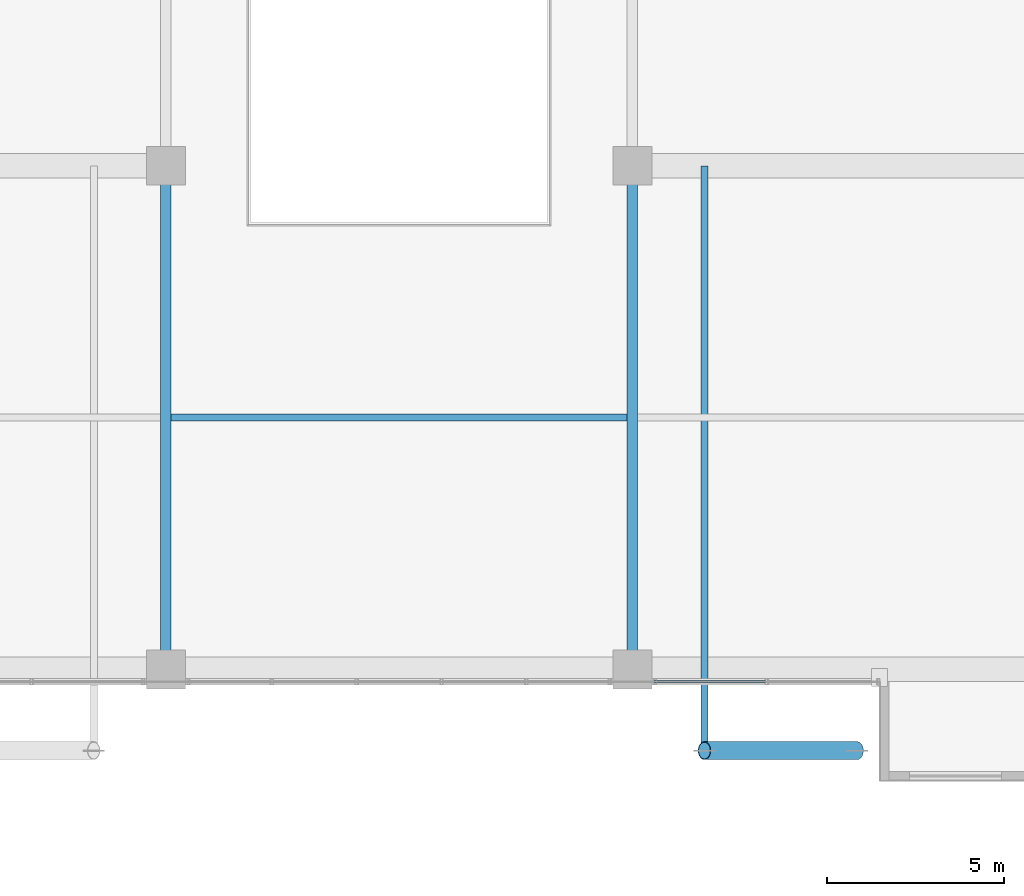
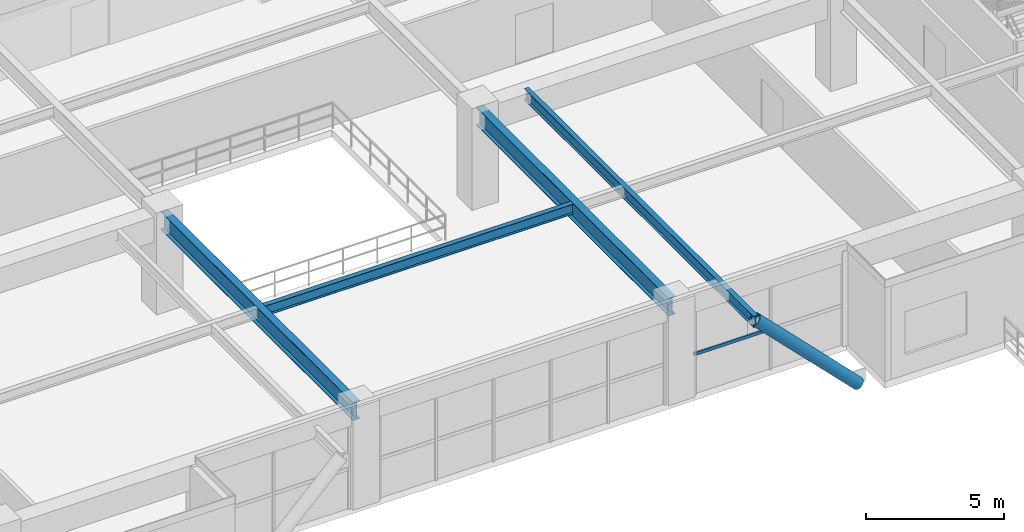
# One storey, part 5 of 24: 4 beams, 2 members, 1 element without a shape of its own.
"""IFC4 building model written with IfcOpenShell, lengths in metres."""

from ifc_helpers import new_model, si_unit, direction, frame, origin, origin_2d, place, context, subcontext, project, spatial, hollow_rectangle, hollow_circle, i_section, extrude, source, transform, mapped, material, material_profile, profile_set, type_object, element, aggregate, save


model = new_model("IFC4")

# Units and contexts
model_context = context("Model", 3, precision=1e-05, world=origin(), true_north=direction((0.0, 1.0)))
body_context = subcontext(model_context, "Body", "Model", "MODEL_VIEW")
ifc_project = project(units=[si_unit("LENGTHUNIT", "METRE"), si_unit("AREAUNIT", "SQUARE_METRE"), si_unit("VOLUMEUNIT", "CUBIC_METRE"), si_unit("PLANEANGLEUNIT", "RADIAN"), si_unit("MASSUNIT", "GRAM", prefix="KILO")], contexts=[model_context])

# Site, building, storey
site_placement = place(None, origin())
site = spatial("IfcSite", under=ifc_project, at=site_placement, CompositionType="ELEMENT")
building_placement = place(site_placement, origin())
building = spatial("IfcBuilding", under=site, at=building_placement, Name="Trelvane Seafront Commons", CompositionType="ELEMENT")
storey_placement = place(building_placement, frame((0.0, 0.0, 9.699951171875)))
storey = spatial("IfcBuildingStorey", under=building, at=storey_placement, Name="L02", CompositionType="ELEMENT", Elevation=9.699951171875)

# Beams
ifc_material_1 = material(Name="Steel SM355 (S355)", Category="steel")
ifc_material_profile_1 = material_profile(ifc_material_1, i_section(OverallWidth=0.300048828125, OverallDepth=0.800048828125, WebThickness=0.013916015625, FlangeThickness=0.02587890625, at=origin_2d()), Name="H-800x300x14x26")
ifc_profile_set_1 = profile_set([ifc_material_profile_1], Name="Steel SM355 (S355)")
beam_type_1 = type_object("IfcBeamType", Name="STR-BM-H800", PredefinedType="BEAM", material=ifc_profile_set_1)
shared_shape_1 = source(origin(), body_context, "Body", "SweptSolid", [
    extrude(i_section(OverallWidth=0.300048828125, OverallDepth=0.800048828125, WebThickness=0.013916015625, FlangeThickness=0.02587890625, at=origin_2d()), origin(), (0.0, 0.0, 1.0), 13.949951171875),
])
for number, where, z_axis, x_axis, name in (
    (1, (30.60009765625, 4.10009765625, 3.800048828125), (0.0, 1.0, 0.0), (-1.0, 0.0, 0.0), "L02 Primary Girder G-43"),
    (2, (43.800048828125, 4.10009765625, 3.800048828125), (0.0, 1.0, 0.0), (-1.0, 0.0, 0.0), "L02 Primary Girder G-47"),
):
    element("IfcBeam", number, at=place(storey_placement, frame(where, z_axis=z_axis, x_axis=x_axis)), inside=storey, type_object=beam_type_1, Name=name, PredefinedType="BEAM", context=body_context, shape_type="MappedRepresentation", body=[
        mapped(shared_shape_1, transform((0.0, 0.0, 0.0), x_axis=(1.0, 0.0, 0.0), y_axis=(0.0, 1.0, 0.0), z_axis=(0.0, 0.0, 1.0), scale=1.0)),
    ])
ifc_material_profile_2 = material_profile(ifc_material_1, i_section(OverallWidth=0.199951171875, OverallDepth=0.449951171875, WebThickness=0.009033203125, FlangeThickness=0.013916015625, at=origin_2d()), Name="H-450x200x9x14")
ifc_profile_set_2 = profile_set([ifc_material_profile_2], Name="Steel SM355 (S355)")
beam_type_2 = type_object("IfcBeamType", Name="STR-JST-H450", PredefinedType="JOIST", material=ifc_profile_set_2)
shared_shape_2 = source(origin(), body_context, "Body", "SweptSolid", [
    extrude(i_section(OverallWidth=0.199951171875, OverallDepth=0.449951171875, WebThickness=0.009033203125, FlangeThickness=0.013916015625, at=origin_2d()), origin(), (0.0, 0.0, 1.0), 12.89990234375),
])
beam_1_placement = place(storey_placement, frame((30.75, 11.074951171875, 3.97509765625), z_axis=(1.0, 0.0, 0.0), x_axis=(0.0, 1.0, 0.0)))
element("IfcBeam", 3, at=beam_1_placement, inside=storey, type_object=beam_type_2, Name="L02 Secondary Floor Joist B-62", PredefinedType="JOIST", context=body_context, shape_type="MappedRepresentation", body=[
    mapped(shared_shape_2, transform((0.0, 0.0, 0.0), x_axis=(1.0, 0.0, 0.0), y_axis=(0.0, 1.0, 0.0), z_axis=(0.0, 0.0, 1.0), scale=1.0)),
])
ifc_material_profile_3 = material_profile(ifc_material_1, i_section(OverallWidth=0.199951171875, OverallDepth=0.5, WebThickness=0.010009765625, FlangeThickness=0.01611328125, at=origin_2d()), Name="H-500x200x10x16")
ifc_profile_set_3 = profile_set([ifc_material_profile_3], Name="Steel SM355 (S355)")
beam_type_3 = type_object("IfcBeamType", Name="STR-BM-H500", PredefinedType="BEAM", material=ifc_profile_set_3)
shared_shape_3 = source(origin(), body_context, "Body", "SweptSolid", [
    extrude(i_section(OverallWidth=0.199951171875, OverallDepth=0.5, WebThickness=0.010009765625, FlangeThickness=0.01611328125, at=origin_2d()), origin(), (0.0, 0.0, 1.0), 16.64990234375),
])
beam_2_placement = place(storey_placement, frame((45.840087890625, 18.199951171875, 3.949951171875), z_axis=(0.0, -1.0, 0.0), x_axis=(1.0, 0.0, 0.0)))
element("IfcBeam", 4, at=beam_2_placement, inside=storey, type_object=beam_type_3, Name="L02 Inverted-V Portal Tie Cantilever Girder G-74", PredefinedType="BEAM", context=body_context, shape_type="MappedRepresentation", body=[
    mapped(shared_shape_3, transform((0.0, 0.0, 0.0), x_axis=(1.0, 0.0, 0.0), y_axis=(0.0, 1.0, 0.0), z_axis=(0.0, 0.0, 1.0), scale=1.0)),
])

# Member
ifc_material_profile_4 = material_profile(ifc_material_1, hollow_circle(Radius=0.25390625, WallThickness=0.02001953125, at=origin_2d()), Name="CHS-508x20")
ifc_profile_set_4 = profile_set([ifc_material_profile_4], Name="Steel SM355 (S355)")
member_type_1 = type_object("IfcMemberType", Name="STR-STR-CHS508", PredefinedType="STRUT", material=ifc_profile_set_4)
shared_shape_4 = source(origin(), body_context, "Body", "SweptSolid", [
    extrude(hollow_circle(Radius=0.25390625, WallThickness=0.02001953125, at=origin_2d()), origin(), (0.0, 0.0, 1.0), 6.13037109375),
])
member_1_placement = place(storey_placement, frame((50.159912109375, 1.64990234375, -0.349853515625), z_axis=(-0.704653337526, 0.0, 0.709551741534), x_axis=(0.0, -1.0, 0.0)))
element("IfcMember", 5, at=member_1_placement, inside=storey, type_object=member_type_1, Name="L02 Base Inverted-V Portal Mega-Strut VP-E", PredefinedType="STRUT", context=body_context, shape_type="MappedRepresentation", body=[
    mapped(shared_shape_4, transform((0.0, 0.0, 0.0), x_axis=(1.0, 0.0, 0.0), y_axis=(0.0, 1.0, 0.0), z_axis=(0.0, 0.0, 1.0), scale=1.0)),
])

# Curtain wall, member
ifc_material_2 = material(Name="Anodised pale-silver aluminium", Category="aluminium")
curtain_wall_type = type_object("IfcCurtainWallType", Name="ARCH-CW1-PODIUM", PredefinedType="NOTDEFINED", material=ifc_material_2)
curtain_wall_placement = place(storey_placement, origin())
curtain_wall = element("IfcCurtainWall", 6, at=curtain_wall_placement, inside=storey, type_object=curtain_wall_type, Name="CW-L02-VP-0016", PredefinedType="NOTDEFINED")
ifc_material_profile_5 = material_profile(ifc_material_2, hollow_rectangle(XDim=0.074951171875, YDim=0.139892578125, WallThickness=0.00390625, at=origin_2d()), Name="TRAN-75x140x4")
ifc_profile_set_5 = profile_set([ifc_material_profile_5], Name="Anodised pale-silver aluminium")
member_type_2 = type_object("IfcMemberType", Name="ARCH-CW-TRAN-140", PredefinedType="USERDEFINED", material=ifc_profile_set_5)
shared_shape_5 = source(origin(), body_context, "Body", "SweptSolid", [
    extrude(hollow_rectangle(XDim=0.074951171875, YDim=0.139892578125, WallThickness=0.00390625, at=origin_2d()), origin(), (0.0, 0.0, 1.0), 3.17578125),
])
member_2_placement = place(storey_placement, frame((47.587890625, 3.60009765625, 1.76611328125), z_axis=(-1.0, 0.0, 0.0), x_axis=(0.0, -1.0, 0.0)))
member_2 = element("IfcMember", 7, at=member_2_placement, type_object=member_type_2, Name="CW-L02-VP-0016-T01", ObjectType="TRANSOM", PredefinedType="USERDEFINED", context=body_context, shape_type="MappedRepresentation", body=[
    mapped(shared_shape_5, transform((0.0, 0.0, 0.0), x_axis=(1.0, 0.0, 0.0), y_axis=(0.0, 1.0, 0.0), z_axis=(0.0, 0.0, 1.0), scale=1.0)),
])
aggregate(curtain_wall, [member_2])

save(model, "model.ifc")
